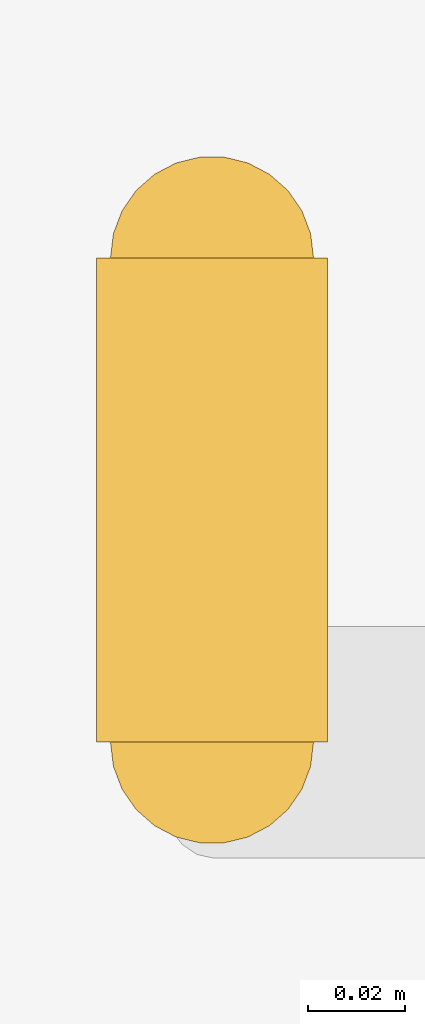
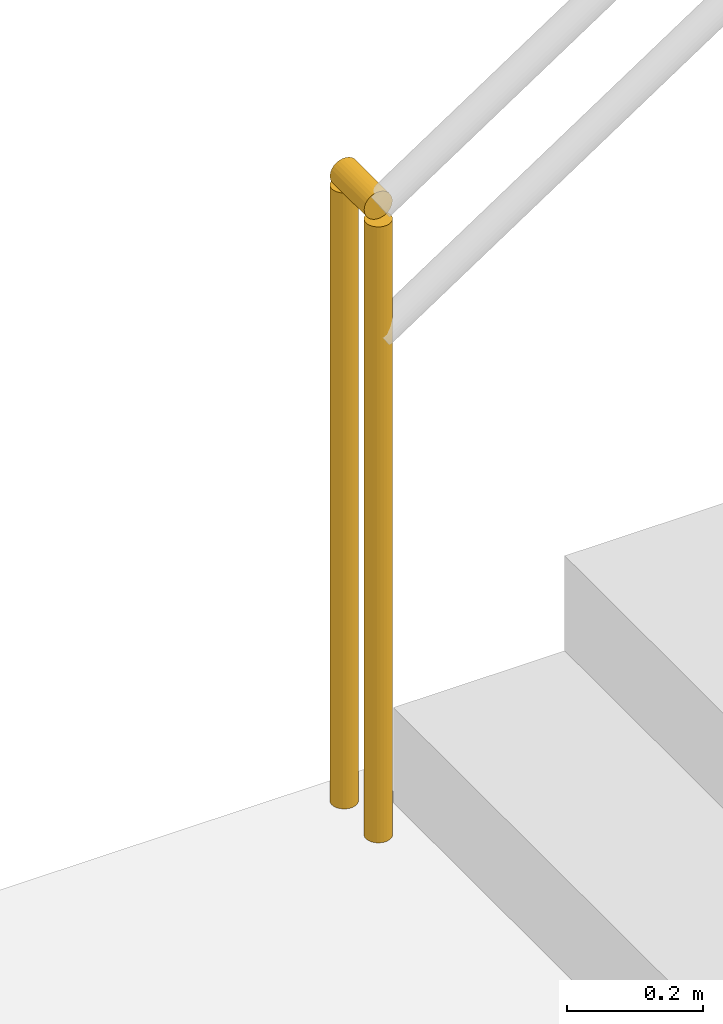
# One storey, part 56 of 58: 1 railing.
"""IFC4 building model written with IfcOpenShell, lengths in metres."""

from ifc_helpers import new_model, si_unit, direction, frame, origin, origin_2d, place, context, subcontext, project, spatial, circle, extrude, material, type_object, element, save


model = new_model("IFC4")

# Units and contexts
model_context = context("Model", 3, precision=1e-05, world=origin(), true_north=direction((0.0, 1.0)))
body_context = subcontext(model_context, "Body", "Model", "MODEL_VIEW")
ifc_project = project(units=[si_unit("LENGTHUNIT", "METRE"), si_unit("AREAUNIT", "SQUARE_METRE"), si_unit("VOLUMEUNIT", "CUBIC_METRE"), si_unit("PLANEANGLEUNIT", "RADIAN"), si_unit("MASSUNIT", "GRAM", prefix="KILO")], contexts=[model_context])

# Site, building, storey
site_placement = place(None, origin())
site = spatial("IfcSite", under=ifc_project, at=site_placement, CompositionType="ELEMENT")
building_placement = place(site_placement, origin())
building = spatial("IfcBuilding", under=site, at=building_placement, Name="Sillaruma Civic Art Gallery", CompositionType="ELEMENT")
storey_placement = place(building_placement, frame((0.0, 0.0, 28.56005859375)))
storey = spatial("IfcBuildingStorey", under=building, at=storey_placement, Name="L05", CompositionType="ELEMENT", Elevation=28.56005859375)

# Railing
ifc_material = material(Name="Stainless Steel AISI 316", Category="steel")
railing_type = type_object("IfcRailingType", Name="RAL-BAL-1150", PredefinedType="BALUSTRADE", material=ifc_material)
railing_placement = place(storey_placement, frame((64.739990234375, 82.889892578125, 0.0)))
element("IfcRailing", 1, at=railing_placement, inside=storey, type_object=railing_type, Name="Stair Floor Edge Guard (ST-02:L05)", PredefinedType="BALUSTRADE", context=body_context, shape_type="SweptSolid", body=[
    extrude(circle(Radius=0.02392578125, at=origin_2d()), frame((0.0, 0.0, 1.1259765625), z_axis=(0.0, 1.0, 0.0), x_axis=(-1.0, 0.0, 0.0)), (0.0, 0.0, 1.0), 0.10009765625),
    extrude(circle(Radius=0.02099609375, at=origin_2d()), origin(), (0.0, 0.0, 1.0), 1.101806640625),
    extrude(circle(Radius=0.02099609375, at=origin_2d()), frame((0.0, 0.10009765625, 0.0)), (0.0, 0.0, 1.0), 1.101806640625),
])

save(model, "model.ifc")
